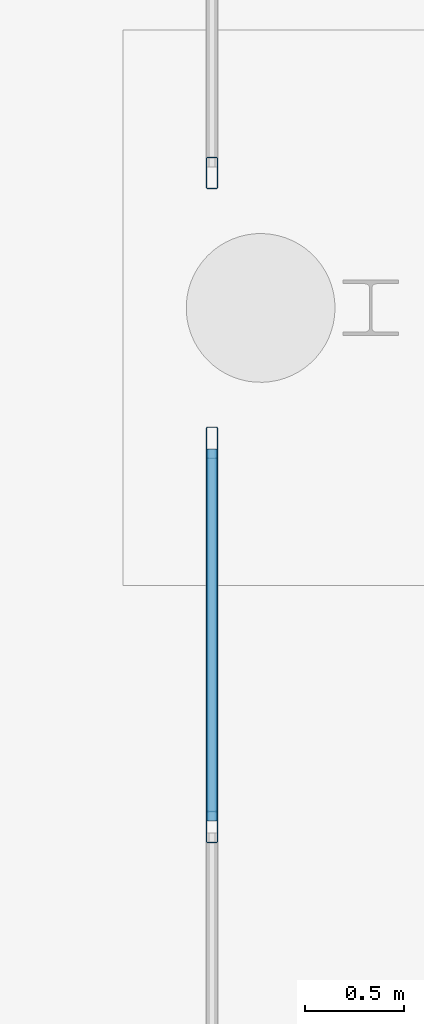
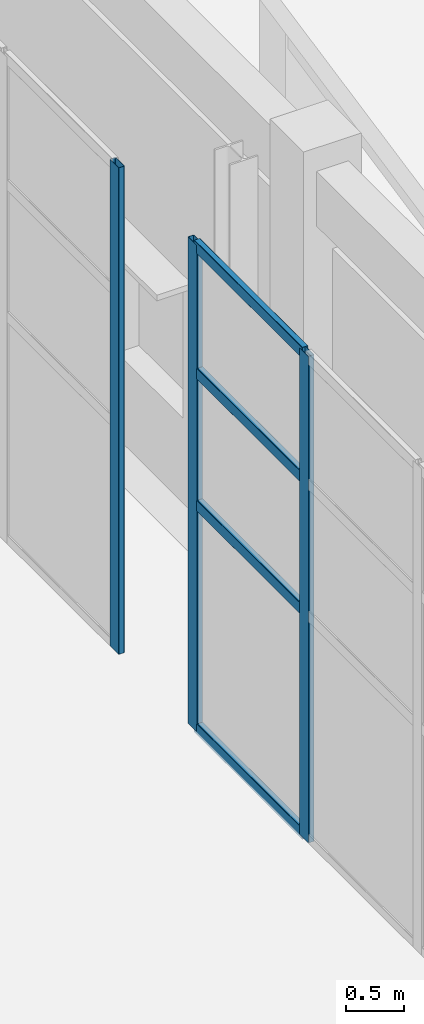
# One storey, part 25 of 91: 7 members, 2 elements without a shape of their own.
"""IFC4 building model written with IfcOpenShell, lengths in metres."""

from ifc_helpers import new_model, si_unit, direction, frame, origin, origin_2d, place, context, subcontext, project, spatial, hollow_rectangle, extrude, material, material_profile, profile_set, type_object, element, aggregate, save


model = new_model("IFC4")

# Units and contexts
model_context = context("Model", 3, precision=1e-05, world=origin(), true_north=direction((0.0, 1.0)))
body_context = subcontext(model_context, "Body", "Model", "MODEL_VIEW")
ifc_project = project(units=[si_unit("LENGTHUNIT", "METRE"), si_unit("AREAUNIT", "SQUARE_METRE"), si_unit("VOLUMEUNIT", "CUBIC_METRE"), si_unit("PLANEANGLEUNIT", "RADIAN"), si_unit("MASSUNIT", "GRAM", prefix="KILO")], contexts=[model_context])

# Site, building, storey
site_placement = place(None, origin())
site = spatial("IfcSite", under=ifc_project, at=site_placement, CompositionType="ELEMENT")
building_placement = place(site_placement, origin())
building = spatial("IfcBuilding", under=site, at=building_placement, Name="Bramveld Media Centre", CompositionType="ELEMENT")
storey_placement = place(building_placement, origin())
storey = spatial("IfcBuildingStorey", under=building, at=storey_placement, Name="L00", CompositionType="ELEMENT", Elevation=0.0)

# Curtain wall, members
ifc_material_1 = material(Name="Thermally broken anodized bronze aluminium unitized curtain wall with solar-control triple glazing", Category="aluminium")
curtain_wall_type = type_object("IfcCurtainWallType", Name="CW-GAL-5900x5160", PredefinedType="NOTDEFINED", material=ifc_material_1)
curtain_wall_1_placement = place(storey_placement, origin())
curtain_wall_1 = element("IfcCurtainWall", 1, at=curtain_wall_1_placement, inside=storey, type_object=curtain_wall_type, Name="PASS-E colonnade glazed screen 2", PredefinedType="NOTDEFINED")
ifc_material_2 = material(Name="Thermally broken anodized bronze aluminium EN AW-6063 T6 curtain-wall framing", Category="aluminium")
ifc_material_profile_1 = material_profile(ifc_material_2, hollow_rectangle(XDim=0.06005859375, YDim=0.159912109375, WallThickness=0.00390625, InnerFilletRadius=0.00390625, OuterFilletRadius=0.008056640625, at=origin_2d()), Name="AL-MULL 60x160")
ifc_profile_set_1 = profile_set([ifc_material_profile_1], Name="Thermally broken anodized bronze aluminium EN AW-6063 T6 curtain-wall framing")
member_type_1 = type_object("IfcMemberType", Name="CW-MULL-EXT", PredefinedType="MULLION", material=ifc_profile_set_1)
member_1_placement = place(storey_placement, frame((122.39990234375, 11.783447265625, 0.0), z_axis=(0.0, 0.0, 1.0), x_axis=(-1.0, 0.0, 0.0)))
member_1 = element("IfcMember", 2, at=member_1_placement, type_object=member_type_1, Name="CW-GA-5951 mullion 3", PredefinedType="MULLION", context=body_context, shape_type="SweptSolid", body=[
    extrude(hollow_rectangle(XDim=0.06005859375, YDim=0.159912109375, WallThickness=0.00390625, InnerFilletRadius=0.00390625, OuterFilletRadius=0.008056640625, at=origin_2d()), origin(), (0.0, 0.0, 1.0), 5.159912109375),
])
member_2_placement = place(storey_placement, frame((122.39990234375, 13.719970703125, 0.0), z_axis=(0.0, 0.0, 1.0), x_axis=(-1.0, 0.0, 0.0)))
member_2 = element("IfcMember", 3, at=member_2_placement, type_object=member_type_1, Name="CW-GA-5951 mullion 4", PredefinedType="MULLION", context=body_context, shape_type="SweptSolid", body=[
    extrude(hollow_rectangle(XDim=0.06005859375, YDim=0.159912109375, WallThickness=0.00390625, InnerFilletRadius=0.00390625, OuterFilletRadius=0.008056640625, at=origin_2d()), origin(), (0.0, 0.0, 1.0), 5.159912109375),
])

# Curtain wall, member
curtain_wall_2_placement = place(storey_placement, origin())
curtain_wall_2 = element("IfcCurtainWall", 4, at=curtain_wall_2_placement, inside=storey, type_object=curtain_wall_type, Name="PASS-E colonnade glazed screen 3", PredefinedType="NOTDEFINED")
member_3_placement = place(storey_placement, frame((122.39990234375, 15.080078125, 0.0), z_axis=(0.0, 0.0, 1.0), x_axis=(-1.0, 0.0, 0.0)))
member_3 = element("IfcMember", 5, at=member_3_placement, type_object=member_type_1, Name="CW-GA-5951 mullion 1", PredefinedType="MULLION", context=body_context, shape_type="SweptSolid", body=[
    extrude(hollow_rectangle(XDim=0.06005859375, YDim=0.159912109375, WallThickness=0.00390625, InnerFilletRadius=0.00390625, OuterFilletRadius=0.008056640625, at=origin_2d()), origin(), (0.0, 0.0, 1.0), 5.159912109375),
])
aggregate(curtain_wall_2, [member_3])

# Member
ifc_material_3 = material(Name="Thermally broken anodized bronze aluminium EN AW-6063 T6 curtain-wall framing", Category="aluminium")
ifc_material_profile_2 = material_profile(ifc_material_3, hollow_rectangle(XDim=0.06005859375, YDim=0.1201171875, WallThickness=0.00341796875, InnerFilletRadius=0.00341796875, OuterFilletRadius=0.007080078125, at=origin_2d()), Name="AL-TRAN 60x120")
ifc_profile_set_2 = profile_set([ifc_material_profile_2], Name="Thermally broken anodized bronze aluminium EN AW-6063 T6 curtain-wall framing")
member_type_2 = type_object("IfcMemberType", Name="CW-TRAN-EXT", PredefinedType="USERDEFINED", material=ifc_profile_set_2)
member_4_placement = place(storey_placement, frame((122.39990234375, 11.813232421875, 0.030029296875), z_axis=(0.0, 1.0, 0.0), x_axis=(-1.0, 0.0, 0.0)))
member_4 = element("IfcMember", 6, at=member_4_placement, type_object=member_type_2, Name="CW-GA-5951 transom 3.1", ObjectType="TRANSOM", PredefinedType="USERDEFINED", context=body_context, shape_type="SweptSolid", body=[
    extrude(hollow_rectangle(XDim=0.06005859375, YDim=0.1201171875, WallThickness=0.00341796875, InnerFilletRadius=0.00341796875, OuterFilletRadius=0.007080078125, at=origin_2d()), origin(), (0.0, 0.0, 1.0), 1.876708984375),
])

member_5_placement = place(storey_placement, frame((122.39990234375, 11.813232421875, 2.39990234375), z_axis=(0.0, 1.0, 0.0), x_axis=(-1.0, 0.0, 0.0)))
member_5 = element("IfcMember", 7, at=member_5_placement, type_object=member_type_2, Name="CW-GA-5951 transom 3.2", ObjectType="TRANSOM", PredefinedType="USERDEFINED", context=body_context, shape_type="SweptSolid", body=[
    extrude(hollow_rectangle(XDim=0.06005859375, YDim=0.1201171875, WallThickness=0.00341796875, InnerFilletRadius=0.00341796875, OuterFilletRadius=0.007080078125, at=origin_2d()), origin(), (0.0, 0.0, 1.0), 1.876708984375),
])

member_6_placement = place(storey_placement, frame((122.39990234375, 11.813232421875, 3.800048828125), z_axis=(0.0, 1.0, 0.0), x_axis=(-1.0, 0.0, 0.0)))
member_6 = element("IfcMember", 8, at=member_6_placement, type_object=member_type_2, Name="CW-GA-5951 transom 3.3", ObjectType="TRANSOM", PredefinedType="USERDEFINED", context=body_context, shape_type="SweptSolid", body=[
    extrude(hollow_rectangle(XDim=0.06005859375, YDim=0.1201171875, WallThickness=0.00341796875, InnerFilletRadius=0.00341796875, OuterFilletRadius=0.007080078125, at=origin_2d()), origin(), (0.0, 0.0, 1.0), 1.876708984375),
])

member_7_placement = place(storey_placement, frame((122.39990234375, 11.813232421875, 5.1298828125), z_axis=(0.0, 1.0, 0.0), x_axis=(-1.0, 0.0, 0.0)))
member_7 = element("IfcMember", 9, at=member_7_placement, type_object=member_type_2, Name="CW-GA-5951 transom 3.4", ObjectType="TRANSOM", PredefinedType="USERDEFINED", context=body_context, shape_type="SweptSolid", body=[
    extrude(hollow_rectangle(XDim=0.06005859375, YDim=0.1201171875, WallThickness=0.00341796875, InnerFilletRadius=0.00341796875, OuterFilletRadius=0.007080078125, at=origin_2d()), origin(), (0.0, 0.0, 1.0), 1.876708984375),
])

aggregate(curtain_wall_1, [member_1, member_2, member_4, member_5, member_6, member_7])

save(model, "model.ifc")
